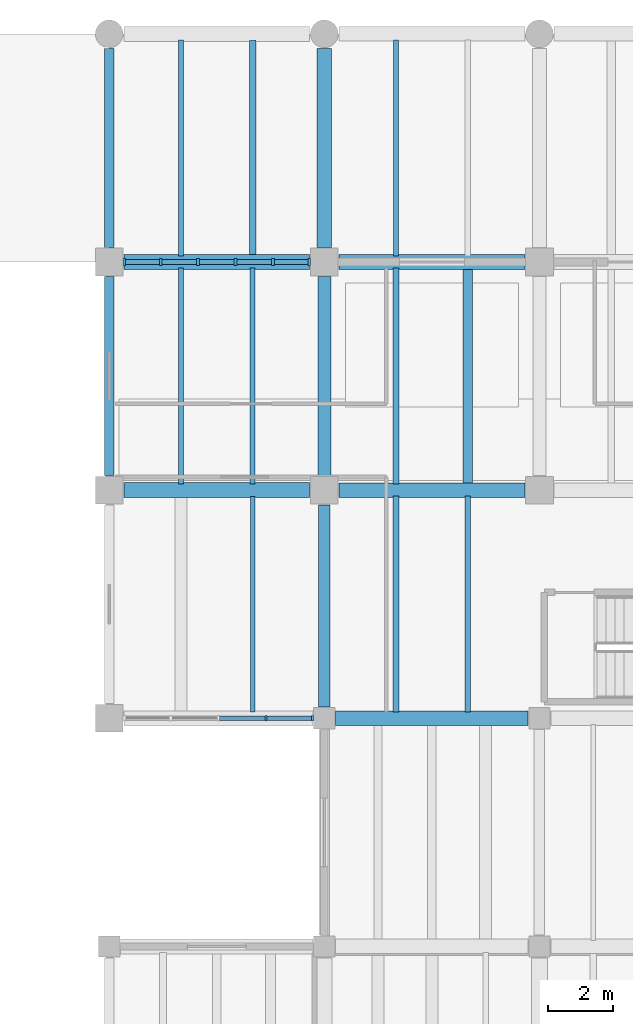
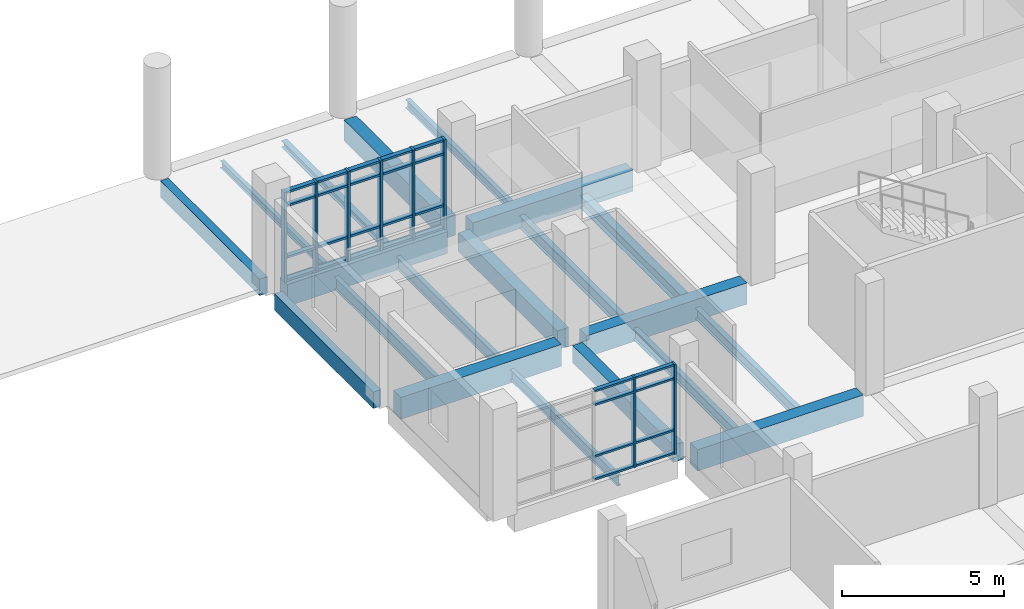
# One storey, part 22 of 69: 36 members, 20 beams, 2 elements without a shape of their own.
"""IFC4 building model written with IfcOpenShell, lengths in metres."""

from ifc_helpers import new_model, si_unit, direction, frame, origin, origin_2d, place, context, subcontext, project, spatial, rectangle, i_section, extrude, material, material_profile, profile_set, type_object, element, aggregate, save


model = new_model("IFC4")

# Units and contexts
model_context = context("Model", 3, precision=1e-05, world=origin(), true_north=direction((0.0, 1.0)))
body_context = subcontext(model_context, "Body", "Model", "MODEL_VIEW")
ifc_project = project(units=[si_unit("LENGTHUNIT", "METRE"), si_unit("AREAUNIT", "SQUARE_METRE"), si_unit("VOLUMEUNIT", "CUBIC_METRE"), si_unit("PLANEANGLEUNIT", "RADIAN"), si_unit("MASSUNIT", "GRAM", prefix="KILO")], contexts=[model_context])

# Site, building, storey
site_placement = place(None, origin())
site = spatial("IfcSite", under=ifc_project, at=site_placement, CompositionType="ELEMENT")
building_placement = place(site_placement, origin())
building = spatial("IfcBuilding", under=site, at=building_placement, Name="Ciguamira Faculty of Natural Sciences", CompositionType="ELEMENT")
storey_placement = place(building_placement, origin())
storey = spatial("IfcBuildingStorey", under=building, at=storey_placement, Name="L00", CompositionType="ELEMENT", Elevation=0.0)

# Curtain wall, members
ifc_material_1 = material(Name="Anodized aluminium curtain wall", Category="aluminium")
curtain_wall_type_1 = type_object("IfcCurtainWallType", Name="CurtainWall_CW-05", PredefinedType="USERDEFINED", material=ifc_material_1)
curtain_wall_1_placement = place(storey_placement, origin())
curtain_wall_1 = element("IfcCurtainWall", 1, at=curtain_wall_1_placement, inside=storey, type_object=curtain_wall_type_1, Name="L00 unitised curtain wall 0017", ObjectType="UNITISED CURTAIN WALL", PredefinedType="USERDEFINED")
ifc_material_2 = material(Name="Anodized aluminium mullion", Category="aluminium")
ifc_material_profile_1 = material_profile(ifc_material_2, rectangle(XDim=0.070068359375, YDim=0.179931640625, at=origin_2d()), Name="ALU-MUL-70X180")
ifc_profile_set_1 = profile_set([ifc_material_profile_1], Name="Anodized aluminium mullion")
member_type_1 = type_object("IfcMemberType", Name="CWMullion_CWM-02", PredefinedType="MULLION", material=ifc_profile_set_1)
member_1_placement = place(storey_placement, frame((62.112548828125, 94.0, 0.0), z_axis=(0.0, 0.0, 1.0), x_axis=(1.0, 0.0, 0.0)))
member_1 = element("IfcMember", 2, at=member_1_placement, type_object=member_type_1, Name="CW-05 mullion 4", PredefinedType="MULLION", context=body_context, shape_type="SweptSolid", body=[
    extrude(rectangle(XDim=0.070068359375, YDim=0.179931640625, at=origin_2d()), origin(), (0.0, 0.0, 1.0), 3.385009765625),
])
member_2_placement = place(storey_placement, frame((63.5400390625, 94.0, 0.0), z_axis=(0.0, 0.0, 1.0), x_axis=(1.0, 0.0, 0.0)))
member_2 = element("IfcMember", 3, at=member_2_placement, type_object=member_type_1, Name="CW-05 mullion 5", PredefinedType="MULLION", context=body_context, shape_type="SweptSolid", body=[
    extrude(rectangle(XDim=0.070068359375, YDim=0.179931640625, at=origin_2d()), origin(), (0.0, 0.0, 1.0), 3.385009765625),
])

curtain_wall_type_2 = type_object("IfcCurtainWallType", Name="CurtainWall_CW-06", PredefinedType="USERDEFINED", material=ifc_material_1)
curtain_wall_2_placement = place(storey_placement, origin())
curtain_wall_2 = element("IfcCurtainWall", 4, at=curtain_wall_2_placement, inside=storey, type_object=curtain_wall_type_2, Name="L00 unitised curtain wall 0018", ObjectType="UNITISED CURTAIN WALL", PredefinedType="USERDEFINED")
ifc_material_profile_2 = material_profile(ifc_material_2, rectangle(XDim=0.080078125, YDim=0.219970703125, at=origin_2d()), Name="ALU-MUL-80X220")
ifc_profile_set_2 = profile_set([ifc_material_profile_2], Name="Anodized aluminium mullion")
member_type_2 = type_object("IfcMemberType", Name="CWMullion_CWM-03", PredefinedType="MULLION", material=ifc_profile_set_2)
member_3_placement = place(storey_placement, frame((57.764892578125, 108.0, 0.0), z_axis=(0.0, 0.0, 1.0), x_axis=(1.0, 0.0, 0.0)))
member_3 = element("IfcMember", 5, at=member_3_placement, type_object=member_type_2, Name="CW-06 mullion 1", PredefinedType="MULLION", context=body_context, shape_type="SweptSolid", body=[
    extrude(rectangle(XDim=0.080078125, YDim=0.219970703125, at=origin_2d()), origin(), (0.0, 0.0, 1.0), 3.385009765625),
])
member_4_placement = place(storey_placement, frame((58.875, 108.0, 0.0), z_axis=(0.0, 0.0, 1.0), x_axis=(1.0, 0.0, 0.0)))
member_4 = element("IfcMember", 6, at=member_4_placement, type_object=member_type_2, Name="CW-06 mullion 2", PredefinedType="MULLION", context=body_context, shape_type="SweptSolid", body=[
    extrude(rectangle(XDim=0.080078125, YDim=0.219970703125, at=origin_2d()), origin(), (0.0, 0.0, 1.0), 3.385009765625),
])
member_5_placement = place(storey_placement, frame((60.02490234375, 108.0, 0.0), z_axis=(0.0, 0.0, 1.0), x_axis=(1.0, 0.0, 0.0)))
member_5 = element("IfcMember", 7, at=member_5_placement, type_object=member_type_2, Name="CW-06 mullion 3", PredefinedType="MULLION", context=body_context, shape_type="SweptSolid", body=[
    extrude(rectangle(XDim=0.080078125, YDim=0.219970703125, at=origin_2d()), origin(), (0.0, 0.0, 1.0), 3.385009765625),
])
member_6_placement = place(storey_placement, frame((61.175048828125, 108.0, 0.0), z_axis=(0.0, 0.0, 1.0), x_axis=(1.0, 0.0, 0.0)))
member_6 = element("IfcMember", 8, at=member_6_placement, type_object=member_type_2, Name="CW-06 mullion 4", PredefinedType="MULLION", context=body_context, shape_type="SweptSolid", body=[
    extrude(rectangle(XDim=0.080078125, YDim=0.219970703125, at=origin_2d()), origin(), (0.0, 0.0, 1.0), 3.385009765625),
])
member_7_placement = place(storey_placement, frame((62.324951171875, 108.0, 0.0), z_axis=(0.0, 0.0, 1.0), x_axis=(1.0, 0.0, 0.0)))
member_7 = element("IfcMember", 9, at=member_7_placement, type_object=member_type_2, Name="CW-06 mullion 5", PredefinedType="MULLION", context=body_context, shape_type="SweptSolid", body=[
    extrude(rectangle(XDim=0.080078125, YDim=0.219970703125, at=origin_2d()), origin(), (0.0, 0.0, 1.0), 3.385009765625),
])
member_8_placement = place(storey_placement, frame((63.43505859375, 108.0, 0.0), z_axis=(0.0, 0.0, 1.0), x_axis=(1.0, 0.0, 0.0)))
member_8 = element("IfcMember", 10, at=member_8_placement, type_object=member_type_2, Name="CW-06 mullion 6", PredefinedType="MULLION", context=body_context, shape_type="SweptSolid", body=[
    extrude(rectangle(XDim=0.080078125, YDim=0.219970703125, at=origin_2d()), origin(), (0.0, 0.0, 1.0), 3.385009765625),
])

# Member
ifc_material_3 = material(Name="Anodized aluminium transom", Category="aluminium")
ifc_material_profile_3 = material_profile(ifc_material_3, rectangle(XDim=0.070068359375, YDim=0.139892578125, at=origin_2d()), Name="ALU-TRN-70X140")
ifc_profile_set_3 = profile_set([ifc_material_profile_3], Name="Anodized aluminium transom")
member_type_3 = type_object("IfcMemberType", Name="CWTransom_CWT-02", PredefinedType="USERDEFINED", material=ifc_profile_set_3)
member_9_placement = place(storey_placement, frame((60.68505859375, 94.0, 0.034912109375), z_axis=(1.0, 0.0, 0.0), x_axis=(0.0, 0.0, 1.0)))
member_9 = element("IfcMember", 11, at=member_9_placement, type_object=member_type_3, Name="CW-05 transom 3.1", ObjectType="TRANSOM", PredefinedType="USERDEFINED", context=body_context, shape_type="SweptSolid", body=[
    extrude(rectangle(XDim=0.070068359375, YDim=0.139892578125, at=origin_2d()), origin(), (0.0, 0.0, 1.0), 1.392333984375),
])

member_10_placement = place(storey_placement, frame((60.68505859375, 94.0, 0.89990234375), z_axis=(1.0, 0.0, 0.0), x_axis=(0.0, 0.0, 1.0)))
member_10 = element("IfcMember", 12, at=member_10_placement, type_object=member_type_3, Name="CW-05 transom 3.2", ObjectType="TRANSOM", PredefinedType="USERDEFINED", context=body_context, shape_type="SweptSolid", body=[
    extrude(rectangle(XDim=0.070068359375, YDim=0.139892578125, at=origin_2d()), origin(), (0.0, 0.0, 1.0), 1.392333984375),
])

member_11_placement = place(storey_placement, frame((60.68505859375, 94.0, 2.8349609375), z_axis=(1.0, 0.0, 0.0), x_axis=(0.0, 0.0, 1.0)))
member_11 = element("IfcMember", 13, at=member_11_placement, type_object=member_type_3, Name="CW-05 transom 3.3", ObjectType="TRANSOM", PredefinedType="USERDEFINED", context=body_context, shape_type="SweptSolid", body=[
    extrude(rectangle(XDim=0.070068359375, YDim=0.139892578125, at=origin_2d()), origin(), (0.0, 0.0, 1.0), 1.392333984375),
])

member_12_placement = place(storey_placement, frame((60.68505859375, 94.0, 3.35009765625), z_axis=(1.0, 0.0, 0.0), x_axis=(0.0, 0.0, 1.0)))
member_12 = element("IfcMember", 14, at=member_12_placement, type_object=member_type_3, Name="CW-05 transom 3.4", ObjectType="TRANSOM", PredefinedType="USERDEFINED", context=body_context, shape_type="SweptSolid", body=[
    extrude(rectangle(XDim=0.070068359375, YDim=0.139892578125, at=origin_2d()), origin(), (0.0, 0.0, 1.0), 1.392333984375),
])

member_13_placement = place(storey_placement, frame((62.1474609375, 94.0, 0.034912109375), z_axis=(1.0, 0.0, 0.0), x_axis=(0.0, 0.0, 1.0)))
member_13 = element("IfcMember", 15, at=member_13_placement, type_object=member_type_3, Name="CW-05 transom 4.1", ObjectType="TRANSOM", PredefinedType="USERDEFINED", context=body_context, shape_type="SweptSolid", body=[
    extrude(rectangle(XDim=0.070068359375, YDim=0.139892578125, at=origin_2d()), origin(), (0.0, 0.0, 1.0), 1.357421875),
])

member_14_placement = place(storey_placement, frame((62.1474609375, 94.0, 0.89990234375), z_axis=(1.0, 0.0, 0.0), x_axis=(0.0, 0.0, 1.0)))
member_14 = element("IfcMember", 16, at=member_14_placement, type_object=member_type_3, Name="CW-05 transom 4.2", ObjectType="TRANSOM", PredefinedType="USERDEFINED", context=body_context, shape_type="SweptSolid", body=[
    extrude(rectangle(XDim=0.070068359375, YDim=0.139892578125, at=origin_2d()), origin(), (0.0, 0.0, 1.0), 1.357421875),
])

member_15_placement = place(storey_placement, frame((62.1474609375, 94.0, 2.8349609375), z_axis=(1.0, 0.0, 0.0), x_axis=(0.0, 0.0, 1.0)))
member_15 = element("IfcMember", 17, at=member_15_placement, type_object=member_type_3, Name="CW-05 transom 4.3", ObjectType="TRANSOM", PredefinedType="USERDEFINED", context=body_context, shape_type="SweptSolid", body=[
    extrude(rectangle(XDim=0.070068359375, YDim=0.139892578125, at=origin_2d()), origin(), (0.0, 0.0, 1.0), 1.357421875),
])

member_16_placement = place(storey_placement, frame((62.1474609375, 94.0, 3.35009765625), z_axis=(1.0, 0.0, 0.0), x_axis=(0.0, 0.0, 1.0)))
member_16 = element("IfcMember", 18, at=member_16_placement, type_object=member_type_3, Name="CW-05 transom 4.4", ObjectType="TRANSOM", PredefinedType="USERDEFINED", context=body_context, shape_type="SweptSolid", body=[
    extrude(rectangle(XDim=0.070068359375, YDim=0.139892578125, at=origin_2d()), origin(), (0.0, 0.0, 1.0), 1.357421875),
])

aggregate(curtain_wall_1, [member_1, member_2, member_9, member_10, member_11, member_12, member_13, member_14, member_15, member_16])

ifc_material_profile_4 = material_profile(ifc_material_3, rectangle(XDim=0.080078125, YDim=0.159912109375, at=origin_2d()), Name="ALU-TRN-80X160")
ifc_profile_set_4 = profile_set([ifc_material_profile_4], Name="Anodized aluminium transom")
member_type_4 = type_object("IfcMemberType", Name="CWTransom_CWT-03", PredefinedType="USERDEFINED", material=ifc_profile_set_4)
member_17_placement = place(storey_placement, frame((57.804931640625, 108.0, 0.0400390625), z_axis=(1.0, 0.0, 0.0), x_axis=(0.0, 0.0, 1.0)))
member_17 = element("IfcMember", 19, at=member_17_placement, type_object=member_type_4, Name="CW-06 transom 1.1", ObjectType="TRANSOM", PredefinedType="USERDEFINED", context=body_context, shape_type="SweptSolid", body=[
    extrude(rectangle(XDim=0.080078125, YDim=0.159912109375, at=origin_2d()), origin(), (0.0, 0.0, 1.0), 1.030029296875),
])

member_18_placement = place(storey_placement, frame((57.804931640625, 108.0, 0.89990234375), z_axis=(1.0, 0.0, 0.0), x_axis=(0.0, 0.0, 1.0)))
member_18 = element("IfcMember", 20, at=member_18_placement, type_object=member_type_4, Name="CW-06 transom 1.2", ObjectType="TRANSOM", PredefinedType="USERDEFINED", context=body_context, shape_type="SweptSolid", body=[
    extrude(rectangle(XDim=0.080078125, YDim=0.159912109375, at=origin_2d()), origin(), (0.0, 0.0, 1.0), 1.030029296875),
])

member_19_placement = place(storey_placement, frame((57.804931640625, 108.0, 2.8349609375), z_axis=(1.0, 0.0, 0.0), x_axis=(0.0, 0.0, 1.0)))
member_19 = element("IfcMember", 21, at=member_19_placement, type_object=member_type_4, Name="CW-06 transom 1.3", ObjectType="TRANSOM", PredefinedType="USERDEFINED", context=body_context, shape_type="SweptSolid", body=[
    extrude(rectangle(XDim=0.080078125, YDim=0.159912109375, at=origin_2d()), origin(), (0.0, 0.0, 1.0), 1.030029296875),
])

member_20_placement = place(storey_placement, frame((57.804931640625, 108.0, 3.344970703125), z_axis=(1.0, 0.0, 0.0), x_axis=(0.0, 0.0, 1.0)))
member_20 = element("IfcMember", 22, at=member_20_placement, type_object=member_type_4, Name="CW-06 transom 1.4", ObjectType="TRANSOM", PredefinedType="USERDEFINED", context=body_context, shape_type="SweptSolid", body=[
    extrude(rectangle(XDim=0.080078125, YDim=0.159912109375, at=origin_2d()), origin(), (0.0, 0.0, 1.0), 1.030029296875),
])

member_21_placement = place(storey_placement, frame((58.9150390625, 108.0, 0.0400390625), z_axis=(1.0, 0.0, 0.0), x_axis=(0.0, 0.0, 1.0)))
member_21 = element("IfcMember", 23, at=member_21_placement, type_object=member_type_4, Name="CW-06 transom 2.1", ObjectType="TRANSOM", PredefinedType="USERDEFINED", context=body_context, shape_type="SweptSolid", body=[
    extrude(rectangle(XDim=0.080078125, YDim=0.159912109375, at=origin_2d()), origin(), (0.0, 0.0, 1.0), 1.070068359375),
])

member_22_placement = place(storey_placement, frame((58.9150390625, 108.0, 0.89990234375), z_axis=(1.0, 0.0, 0.0), x_axis=(0.0, 0.0, 1.0)))
member_22 = element("IfcMember", 24, at=member_22_placement, type_object=member_type_4, Name="CW-06 transom 2.2", ObjectType="TRANSOM", PredefinedType="USERDEFINED", context=body_context, shape_type="SweptSolid", body=[
    extrude(rectangle(XDim=0.080078125, YDim=0.159912109375, at=origin_2d()), origin(), (0.0, 0.0, 1.0), 1.070068359375),
])

member_23_placement = place(storey_placement, frame((58.9150390625, 108.0, 2.8349609375), z_axis=(1.0, 0.0, 0.0), x_axis=(0.0, 0.0, 1.0)))
member_23 = element("IfcMember", 25, at=member_23_placement, type_object=member_type_4, Name="CW-06 transom 2.3", ObjectType="TRANSOM", PredefinedType="USERDEFINED", context=body_context, shape_type="SweptSolid", body=[
    extrude(rectangle(XDim=0.080078125, YDim=0.159912109375, at=origin_2d()), origin(), (0.0, 0.0, 1.0), 1.070068359375),
])

member_24_placement = place(storey_placement, frame((58.9150390625, 108.0, 3.344970703125), z_axis=(1.0, 0.0, 0.0), x_axis=(0.0, 0.0, 1.0)))
member_24 = element("IfcMember", 26, at=member_24_placement, type_object=member_type_4, Name="CW-06 transom 2.4", ObjectType="TRANSOM", PredefinedType="USERDEFINED", context=body_context, shape_type="SweptSolid", body=[
    extrude(rectangle(XDim=0.080078125, YDim=0.159912109375, at=origin_2d()), origin(), (0.0, 0.0, 1.0), 1.070068359375),
])

member_25_placement = place(storey_placement, frame((60.06494140625, 108.0, 0.0400390625), z_axis=(1.0, 0.0, 0.0), x_axis=(0.0, 0.0, 1.0)))
member_25 = element("IfcMember", 27, at=member_25_placement, type_object=member_type_4, Name="CW-06 transom 3.1", ObjectType="TRANSOM", PredefinedType="USERDEFINED", context=body_context, shape_type="SweptSolid", body=[
    extrude(rectangle(XDim=0.080078125, YDim=0.159912109375, at=origin_2d()), origin(), (0.0, 0.0, 1.0), 1.070068359375),
])

member_26_placement = place(storey_placement, frame((60.06494140625, 108.0, 0.89990234375), z_axis=(1.0, 0.0, 0.0), x_axis=(0.0, 0.0, 1.0)))
member_26 = element("IfcMember", 28, at=member_26_placement, type_object=member_type_4, Name="CW-06 transom 3.2", ObjectType="TRANSOM", PredefinedType="USERDEFINED", context=body_context, shape_type="SweptSolid", body=[
    extrude(rectangle(XDim=0.080078125, YDim=0.159912109375, at=origin_2d()), origin(), (0.0, 0.0, 1.0), 1.070068359375),
])

member_27_placement = place(storey_placement, frame((60.06494140625, 108.0, 2.8349609375), z_axis=(1.0, 0.0, 0.0), x_axis=(0.0, 0.0, 1.0)))
member_27 = element("IfcMember", 29, at=member_27_placement, type_object=member_type_4, Name="CW-06 transom 3.3", ObjectType="TRANSOM", PredefinedType="USERDEFINED", context=body_context, shape_type="SweptSolid", body=[
    extrude(rectangle(XDim=0.080078125, YDim=0.159912109375, at=origin_2d()), origin(), (0.0, 0.0, 1.0), 1.070068359375),
])

member_28_placement = place(storey_placement, frame((60.06494140625, 108.0, 3.344970703125), z_axis=(1.0, 0.0, 0.0), x_axis=(0.0, 0.0, 1.0)))
member_28 = element("IfcMember", 30, at=member_28_placement, type_object=member_type_4, Name="CW-06 transom 3.4", ObjectType="TRANSOM", PredefinedType="USERDEFINED", context=body_context, shape_type="SweptSolid", body=[
    extrude(rectangle(XDim=0.080078125, YDim=0.159912109375, at=origin_2d()), origin(), (0.0, 0.0, 1.0), 1.070068359375),
])

member_29_placement = place(storey_placement, frame((61.215087890625, 108.0, 0.0400390625), z_axis=(1.0, 0.0, 0.0), x_axis=(0.0, 0.0, 1.0)))
member_29 = element("IfcMember", 31, at=member_29_placement, type_object=member_type_4, Name="CW-06 transom 4.1", ObjectType="TRANSOM", PredefinedType="USERDEFINED", context=body_context, shape_type="SweptSolid", body=[
    extrude(rectangle(XDim=0.080078125, YDim=0.159912109375, at=origin_2d()), origin(), (0.0, 0.0, 1.0), 1.06982421875),
])

member_30_placement = place(storey_placement, frame((61.215087890625, 108.0, 0.89990234375), z_axis=(1.0, 0.0, 0.0), x_axis=(0.0, 0.0, 1.0)))
member_30 = element("IfcMember", 32, at=member_30_placement, type_object=member_type_4, Name="CW-06 transom 4.2", ObjectType="TRANSOM", PredefinedType="USERDEFINED", context=body_context, shape_type="SweptSolid", body=[
    extrude(rectangle(XDim=0.080078125, YDim=0.159912109375, at=origin_2d()), origin(), (0.0, 0.0, 1.0), 1.06982421875),
])

member_31_placement = place(storey_placement, frame((61.215087890625, 108.0, 2.8349609375), z_axis=(1.0, 0.0, 0.0), x_axis=(0.0, 0.0, 1.0)))
member_31 = element("IfcMember", 33, at=member_31_placement, type_object=member_type_4, Name="CW-06 transom 4.3", ObjectType="TRANSOM", PredefinedType="USERDEFINED", context=body_context, shape_type="SweptSolid", body=[
    extrude(rectangle(XDim=0.080078125, YDim=0.159912109375, at=origin_2d()), origin(), (0.0, 0.0, 1.0), 1.06982421875),
])

member_32_placement = place(storey_placement, frame((61.215087890625, 108.0, 3.344970703125), z_axis=(1.0, 0.0, 0.0), x_axis=(0.0, 0.0, 1.0)))
member_32 = element("IfcMember", 34, at=member_32_placement, type_object=member_type_4, Name="CW-06 transom 4.4", ObjectType="TRANSOM", PredefinedType="USERDEFINED", context=body_context, shape_type="SweptSolid", body=[
    extrude(rectangle(XDim=0.080078125, YDim=0.159912109375, at=origin_2d()), origin(), (0.0, 0.0, 1.0), 1.06982421875),
])

member_33_placement = place(storey_placement, frame((62.364990234375, 108.0, 0.0400390625), z_axis=(1.0, 0.0, 0.0), x_axis=(0.0, 0.0, 1.0)))
member_33 = element("IfcMember", 35, at=member_33_placement, type_object=member_type_4, Name="CW-06 transom 5.1", ObjectType="TRANSOM", PredefinedType="USERDEFINED", context=body_context, shape_type="SweptSolid", body=[
    extrude(rectangle(XDim=0.080078125, YDim=0.159912109375, at=origin_2d()), origin(), (0.0, 0.0, 1.0), 1.030029296875),
])

member_34_placement = place(storey_placement, frame((62.364990234375, 108.0, 0.89990234375), z_axis=(1.0, 0.0, 0.0), x_axis=(0.0, 0.0, 1.0)))
member_34 = element("IfcMember", 36, at=member_34_placement, type_object=member_type_4, Name="CW-06 transom 5.2", ObjectType="TRANSOM", PredefinedType="USERDEFINED", context=body_context, shape_type="SweptSolid", body=[
    extrude(rectangle(XDim=0.080078125, YDim=0.159912109375, at=origin_2d()), origin(), (0.0, 0.0, 1.0), 1.030029296875),
])

member_35_placement = place(storey_placement, frame((62.364990234375, 108.0, 2.8349609375), z_axis=(1.0, 0.0, 0.0), x_axis=(0.0, 0.0, 1.0)))
member_35 = element("IfcMember", 37, at=member_35_placement, type_object=member_type_4, Name="CW-06 transom 5.3", ObjectType="TRANSOM", PredefinedType="USERDEFINED", context=body_context, shape_type="SweptSolid", body=[
    extrude(rectangle(XDim=0.080078125, YDim=0.159912109375, at=origin_2d()), origin(), (0.0, 0.0, 1.0), 1.030029296875),
])

member_36_placement = place(storey_placement, frame((62.364990234375, 108.0, 3.344970703125), z_axis=(1.0, 0.0, 0.0), x_axis=(0.0, 0.0, 1.0)))
member_36 = element("IfcMember", 38, at=member_36_placement, type_object=member_type_4, Name="CW-06 transom 5.4", ObjectType="TRANSOM", PredefinedType="USERDEFINED", context=body_context, shape_type="SweptSolid", body=[
    extrude(rectangle(XDim=0.080078125, YDim=0.159912109375, at=origin_2d()), origin(), (0.0, 0.0, 1.0), 1.030029296875),
])

aggregate(curtain_wall_2, [member_3, member_4, member_5, member_6, member_7, member_8, member_17, member_18, member_19, member_20, member_21, member_22, member_23, member_24, member_25, member_26, member_27, member_28, member_29, member_30, member_31, member_32, member_33, member_34, member_35, member_36])

# Beams
ifc_material_4 = material(Name="Concrete C40/50", Category="concrete")
ifc_material_profile_5 = material_profile(ifc_material_4, rectangle(XDim=0.4599609375, YDim=0.820068359375, at=origin_2d()), Name="RC-BM-460X820")
ifc_profile_set_5 = profile_set([ifc_material_profile_5], Name="Concrete C40/50")
beam_type_1 = type_object("IfcBeamType", Name="RCBeam_BG-04_RC-BM-460X820", PredefinedType="BEAM", material=ifc_profile_set_5)
for number, where, z_axis, x_axis, name in (
    (39, (57.75, 101.0, -0.409912109375), (1.0, 0.0, 0.0), (0.0, 1.0, 0.0), "L00 RC girder EW-0165"),
    (40, (57.75, 108.0, -0.409912109375), (1.0, 0.0, 0.0), (0.0, 1.0, 0.0), "L00 RC girder EW-0174"),
):
    element("IfcBeam", number, at=place(storey_placement, frame(where, z_axis=z_axis, x_axis=x_axis)), inside=storey, type_object=beam_type_1, Name=name, PredefinedType="BEAM", context=body_context, shape_type="SweptSolid", body=[
        extrude(rectangle(XDim=0.4599609375, YDim=0.820068359375, at=origin_2d()), origin(), (0.0, 0.0, 1.0), 5.699951171875),
    ])
ifc_material_profile_6 = material_profile(ifc_material_4, rectangle(XDim=0.449951171875, YDim=0.800048828125, at=origin_2d()), Name="RC-BM-450X800")
ifc_profile_set_6 = profile_set([ifc_material_profile_6], Name="Concrete C40/50")
beam_type_2 = type_object("IfcBeamType", Name="RCBeam_BG-05_RC-BM-450X800", PredefinedType="BEAM", material=ifc_profile_set_6)
beam_1_placement = place(storey_placement, frame((64.25, 94.0, -0.39990234375), z_axis=(1.0, 0.0, 0.0), x_axis=(0.0, 1.0, 0.0)))
element("IfcBeam", 41, at=beam_1_placement, inside=storey, type_object=beam_type_2, Name="L00 RC girder EW-0157", PredefinedType="BEAM", context=body_context, shape_type="SweptSolid", body=[
    extrude(rectangle(XDim=0.449951171875, YDim=0.800048828125, at=origin_2d()), origin(), (0.0, 0.0, 1.0), 5.89990234375),
])
for number, where, z_axis, x_axis, name in (
    (42, (64.35009765625, 101.0, -0.39990234375), (1.0, 0.0, 0.0), (0.0, 1.0, 0.0), "L00 RC girder EW-0166"),
    (43, (64.35009765625, 108.0, -0.39990234375), (1.0, 0.0, 0.0), (0.0, 1.0, 0.0), "L00 RC girder EW-0175"),
):
    element("IfcBeam", number, at=place(storey_placement, frame(where, z_axis=z_axis, x_axis=x_axis)), inside=storey, type_object=beam_type_2, Name=name, PredefinedType="BEAM", context=body_context, shape_type="SweptSolid", body=[
        extrude(rectangle(XDim=0.449951171875, YDim=0.800048828125, at=origin_2d()), origin(), (0.0, 0.0, 1.0), 5.699951171875),
    ])
ifc_material_profile_7 = material_profile(ifc_material_4, rectangle(XDim=0.43994140625, YDim=0.780029296875, at=origin_2d()), Name="RC-BM-440X780")
ifc_profile_set_7 = profile_set([ifc_material_profile_7], Name="Concrete C40/50")
beam_type_3 = type_object("IfcBeamType", Name="RCBeam_BG-06_RC-BM-440X780", PredefinedType="BEAM", material=ifc_profile_set_7)
beam_2_placement = place(storey_placement, frame((63.89990234375, 108.449951171875, -0.389892578125), z_axis=(0.0, 1.0, 0.0), x_axis=(-1.0, 0.0, 0.0)))
element("IfcBeam", 44, at=beam_2_placement, inside=storey, type_object=beam_type_3, Name="L00 girder NS-0241", PredefinedType="BEAM", context=body_context, shape_type="SweptSolid", body=[
    extrude(rectangle(XDim=0.43994140625, YDim=0.780029296875, at=origin_2d()), origin(), (0.0, 0.0, 1.0), 6.10009765625),
])
ifc_material_profile_8 = material_profile(ifc_material_4, rectangle(XDim=0.39990234375, YDim=0.699951171875, at=origin_2d()), Name="RC-BM-400X700")
ifc_profile_set_8 = profile_set([ifc_material_profile_8], Name="Concrete C40/50")
beam_type_4 = type_object("IfcBeamType", Name="RCBeam_BG-08_RC-BM-400X700", PredefinedType="BEAM", material=ifc_profile_set_8)
beam_3_placement = place(storey_placement, frame((63.89990234375, 101.449951171875, -0.35009765625), z_axis=(0.0, 1.0, 0.0), x_axis=(-1.0, 0.0, 0.0)))
element("IfcBeam", 45, at=beam_3_placement, inside=storey, type_object=beam_type_4, Name="L00 girder NS-0240", PredefinedType="BEAM", context=body_context, shape_type="SweptSolid", body=[
    extrude(rectangle(XDim=0.39990234375, YDim=0.699951171875, at=origin_2d()), origin(), (0.0, 0.0, 1.0), 6.10009765625),
])
ifc_material_profile_9 = material_profile(ifc_material_4, rectangle(XDim=0.360107421875, YDim=0.639892578125, at=origin_2d()), Name="RC-BM-360X640")
ifc_profile_set_9 = profile_set([ifc_material_profile_9], Name="Concrete C40/50")
beam_type_5 = type_object("IfcBeamType", Name="RCBeam_BG-10_RC-BM-360X640", PredefinedType="BEAM", material=ifc_profile_set_9)
beam_4_placement = place(storey_placement, frame((63.89990234375, 94.35009765625, -0.320068359375), z_axis=(0.0, 1.0, 0.0), x_axis=(-1.0, 0.0, 0.0)))
element("IfcBeam", 46, at=beam_4_placement, inside=storey, type_object=beam_type_5, Name="L00 girder NS-0239", PredefinedType="BEAM", context=body_context, shape_type="SweptSolid", body=[
    extrude(rectangle(XDim=0.360107421875, YDim=0.639892578125, at=origin_2d()), origin(), (0.0, 0.0, 1.0), 6.199951171875),
])
ifc_material_5 = material(Name="Precast concrete C40/50", Category="concrete")
ifc_material_profile_10 = material_profile(ifc_material_5, rectangle(XDim=0.280029296875, YDim=0.6201171875, at=origin_2d()), Name="RC-SP-280X620")
ifc_profile_set_10 = profile_set([ifc_material_profile_10], Name="Precast concrete C40/50")
beam_type_6 = type_object("IfcBeamType", Name="RCBeam_SP-01_RC-SP-280X620", PredefinedType="SPANDREL", material=ifc_profile_set_10)
for number, where, z_axis, x_axis, name in (
    (47, (57.300048828125, 101.449951171875, -0.31005859375), (0.0, 1.0, 0.0), (-1.0, 0.0, 0.0), "L00 girder NS-0227"),
    (48, (57.300048828125, 108.449951171875, -0.31005859375), (0.0, 1.0, 0.0), (-1.0, 0.0, 0.0), "L00 girder NS-0228"),
):
    element("IfcBeam", number, at=place(storey_placement, frame(where, z_axis=z_axis, x_axis=x_axis)), inside=storey, type_object=beam_type_6, Name=name, PredefinedType="SPANDREL", context=body_context, shape_type="SweptSolid", body=[
        extrude(rectangle(XDim=0.280029296875, YDim=0.6201171875, at=origin_2d()), origin(), (0.0, 0.0, 1.0), 6.10009765625),
    ])
ifc_material_6 = material(Name="Steel ASTM A992 Grade 50", Category="steel")
ifc_material_profile_11 = material_profile(ifc_material_6, i_section(OverallWidth=0.14599609375, OverallDepth=0.259033203125, WebThickness=0.006103515625, FlangeThickness=0.009033203125, at=origin_2d()), Name="W10X22")
ifc_profile_set_11 = profile_set([ifc_material_profile_11], Name="Steel ASTM A992 Grade 50")
beam_type_7 = type_object("IfcBeamType", Name="SteelJoist_SJ-01_W10X22", PredefinedType="JOIST", material=ifc_profile_set_11)
beam_5_placement = place(storey_placement, frame((59.5, 108.18994140625, -0.32958984375), z_axis=(0.0, 1.0, 0.0), x_axis=(-1.0, 0.0, 0.0)))
element("IfcBeam", 49, at=beam_5_placement, inside=storey, type_object=beam_type_7, Name="L00 composite steel joist 00090", PredefinedType="JOIST", context=body_context, shape_type="SweptSolid", body=[
    extrude(i_section(OverallWidth=0.14599609375, OverallDepth=0.259033203125, WebThickness=0.006103515625, FlangeThickness=0.009033203125, at=origin_2d()), origin(), (0.0, 0.0, 1.0), 6.6201171875),
])
ifc_material_profile_12 = material_profile(ifc_material_6, i_section(OverallWidth=0.2021484375, OverallDepth=0.2470703125, WebThickness=0.00732421875, FlangeThickness=0.010986328125, at=origin_2d()), Name="W10X33")
ifc_profile_set_12 = profile_set([ifc_material_profile_12], Name="Steel ASTM A992 Grade 50")
beam_type_8 = type_object("IfcBeamType", Name="SteelJoist_SJ-02_W10X33", PredefinedType="JOIST", material=ifc_profile_set_12)
beam_6_placement = place(storey_placement, frame((61.699951171875, 108.18994140625, -0.323486328125), z_axis=(0.0, 1.0, 0.0), x_axis=(-1.0, 0.0, 0.0)))
element("IfcBeam", 50, at=beam_6_placement, inside=storey, type_object=beam_type_8, Name="L00 composite steel joist 00091", PredefinedType="JOIST", context=body_context, shape_type="SweptSolid", body=[
    extrude(i_section(OverallWidth=0.2021484375, OverallDepth=0.2470703125, WebThickness=0.00732421875, FlangeThickness=0.010986328125, at=origin_2d()), origin(), (0.0, 0.0, 1.0), 6.6201171875),
])
ifc_material_profile_13 = material_profile(ifc_material_6, i_section(OverallWidth=0.164794921875, OverallDepth=0.309814453125, WebThickness=0.005859375, FlangeThickness=0.009765625, at=origin_2d()), Name="W12X26")
ifc_profile_set_13 = profile_set([ifc_material_profile_13], Name="Steel ASTM A992 Grade 50")
beam_type_9 = type_object("IfcBeamType", Name="SteelJoist_SJ-04_W12X26", PredefinedType="JOIST", material=ifc_profile_set_13)
beam_7_placement = place(storey_placement, frame((66.10009765625, 108.18505859375, -0.35498046875), z_axis=(0.0, 1.0, 0.0), x_axis=(-1.0, 0.0, 0.0)))
element("IfcBeam", 51, at=beam_7_placement, inside=storey, type_object=beam_type_9, Name="L00 composite steel joist 00119", PredefinedType="JOIST", context=body_context, shape_type="SweptSolid", body=[
    extrude(i_section(OverallWidth=0.164794921875, OverallDepth=0.309814453125, WebThickness=0.005859375, FlangeThickness=0.009765625, at=origin_2d()), origin(), (0.0, 0.0, 1.0), 6.6298828125),
])
ifc_material_profile_14 = material_profile(ifc_material_6, i_section(OverallWidth=0.140380859375, OverallDepth=0.40380859375, WebThickness=0.007080078125, FlangeThickness=0.01123046875, at=origin_2d()), Name="W16X31")
ifc_profile_set_14 = profile_set([ifc_material_profile_14], Name="Steel ASTM A992 Grade 50")
beam_type_10 = type_object("IfcBeamType", Name="SteelJoist_SJ-17_W16X31", PredefinedType="JOIST", material=ifc_profile_set_14)
beam_8_placement = place(storey_placement, frame((61.699951171875, 94.18994140625, -0.501953125), z_axis=(0.0, 1.0, 0.0), x_axis=(-1.0, 0.0, 0.0)))
element("IfcBeam", 52, at=beam_8_placement, inside=storey, type_object=beam_type_10, Name="L00 composite steel joist 00087", PredefinedType="JOIST", context=body_context, shape_type="SweptSolid", body=[
    extrude(i_section(OverallWidth=0.140380859375, OverallDepth=0.40380859375, WebThickness=0.007080078125, FlangeThickness=0.01123046875, at=origin_2d()), origin(), (0.0, 0.0, 1.0), 6.6201171875),
])
ifc_material_profile_15 = material_profile(ifc_material_6, i_section(OverallWidth=0.1787109375, OverallDepth=0.408935546875, WebThickness=0.0087890625, FlangeThickness=0.014404296875, at=origin_2d()), Name="W16X45")
ifc_profile_set_15 = profile_set([ifc_material_profile_15], Name="Steel ASTM A992 Grade 50")
beam_type_11 = type_object("IfcBeamType", Name="SteelJoist_SJ-19_W16X45", PredefinedType="JOIST", material=ifc_profile_set_15)
beam_9_placement = place(storey_placement, frame((66.10009765625, 94.18505859375, -0.50439453125), z_axis=(0.0, 1.0, 0.0), x_axis=(-1.0, 0.0, 0.0)))
element("IfcBeam", 53, at=beam_9_placement, inside=storey, type_object=beam_type_11, Name="L00 composite steel joist 00115", PredefinedType="JOIST", context=body_context, shape_type="SweptSolid", body=[
    extrude(i_section(OverallWidth=0.1787109375, OverallDepth=0.408935546875, WebThickness=0.0087890625, FlangeThickness=0.014404296875, at=origin_2d()), origin(), (0.0, 0.0, 1.0), 6.6298828125),
])
ifc_material_profile_16 = material_profile(ifc_material_6, i_section(OverallWidth=0.180908203125, OverallDepth=0.41650390625, WebThickness=0.010986328125, FlangeThickness=0.01806640625, at=origin_2d()), Name="W16X57")
ifc_profile_set_16 = profile_set([ifc_material_profile_16], Name="Steel ASTM A992 Grade 50")
beam_type_12 = type_object("IfcBeamType", Name="SteelJoist_SJ-20_W16X57", PredefinedType="JOIST", material=ifc_profile_set_16)
beam_10_placement = place(storey_placement, frame((68.300048828125, 94.18505859375, -0.50830078125), z_axis=(0.0, 1.0, 0.0), x_axis=(-1.0, 0.0, 0.0)))
element("IfcBeam", 54, at=beam_10_placement, inside=storey, type_object=beam_type_12, Name="L00 composite steel joist 00116", PredefinedType="JOIST", context=body_context, shape_type="SweptSolid", body=[
    extrude(i_section(OverallWidth=0.180908203125, OverallDepth=0.41650390625, WebThickness=0.010986328125, FlangeThickness=0.01806640625, at=origin_2d()), origin(), (0.0, 0.0, 1.0), 6.6298828125),
])
ifc_material_profile_17 = material_profile(ifc_material_6, i_section(OverallWidth=0.15234375, OverallDepth=0.449462890625, WebThickness=0.007568359375, FlangeThickness=0.0107421875, at=origin_2d()), Name="W18X35")
ifc_profile_set_17 = profile_set([ifc_material_profile_17], Name="Steel ASTM A992 Grade 50")
beam_type_13 = type_object("IfcBeamType", Name="SteelJoist_SJ-21_W18X35", PredefinedType="JOIST", material=ifc_profile_set_17)
beam_11_placement = place(storey_placement, frame((59.5, 101.18994140625, -0.52490234375), z_axis=(0.0, 1.0, 0.0), x_axis=(-1.0, 0.0, 0.0)))
element("IfcBeam", 55, at=beam_11_placement, inside=storey, type_object=beam_type_13, Name="L00 composite steel joist 00088", PredefinedType="JOIST", context=body_context, shape_type="SweptSolid", body=[
    extrude(i_section(OverallWidth=0.15234375, OverallDepth=0.449462890625, WebThickness=0.007568359375, FlangeThickness=0.0107421875, at=origin_2d()), origin(), (0.0, 0.0, 1.0), 6.6201171875),
])
ifc_material_profile_18 = material_profile(ifc_material_6, i_section(OverallWidth=0.15283203125, OverallDepth=0.45458984375, WebThickness=0.008056640625, FlangeThickness=0.013427734375, at=origin_2d()), Name="W18X40")
ifc_profile_set_18 = profile_set([ifc_material_profile_18], Name="Steel ASTM A992 Grade 50")
beam_type_14 = type_object("IfcBeamType", Name="SteelJoist_SJ-22_W18X40", PredefinedType="JOIST", material=ifc_profile_set_18)
beam_12_placement = place(storey_placement, frame((61.699951171875, 101.18994140625, -0.52734375), z_axis=(0.0, 1.0, 0.0), x_axis=(-1.0, 0.0, 0.0)))
element("IfcBeam", 56, at=beam_12_placement, inside=storey, type_object=beam_type_14, Name="L00 composite steel joist 00089", PredefinedType="JOIST", context=body_context, shape_type="SweptSolid", body=[
    extrude(i_section(OverallWidth=0.15283203125, OverallDepth=0.45458984375, WebThickness=0.008056640625, FlangeThickness=0.013427734375, at=origin_2d()), origin(), (0.0, 0.0, 1.0), 6.6201171875),
])
ifc_material_profile_19 = material_profile(ifc_material_6, i_section(OverallWidth=0.19287109375, OverallDepth=0.46728515625, WebThickness=0.011474609375, FlangeThickness=0.01904296875, at=origin_2d()), Name="W18X65")
ifc_profile_set_19 = profile_set([ifc_material_profile_19], Name="Steel ASTM A992 Grade 50")
beam_type_15 = type_object("IfcBeamType", Name="SteelJoist_SJ-24_W18X65", PredefinedType="JOIST", material=ifc_profile_set_19)
beam_13_placement = place(storey_placement, frame((66.10009765625, 101.18505859375, -0.53369140625), z_axis=(0.0, 1.0, 0.0), x_axis=(-1.0, 0.0, 0.0)))
element("IfcBeam", 57, at=beam_13_placement, inside=storey, type_object=beam_type_15, Name="L00 composite steel joist 00117", PredefinedType="JOIST", context=body_context, shape_type="SweptSolid", body=[
    extrude(i_section(OverallWidth=0.19287109375, OverallDepth=0.46728515625, WebThickness=0.011474609375, FlangeThickness=0.01904296875, at=origin_2d()), origin(), (0.0, 0.0, 1.0), 6.6298828125),
])
ifc_material_profile_20 = material_profile(ifc_material_6, i_section(OverallWidth=0.279296875, OverallDepth=0.462158203125, WebThickness=0.0107421875, FlangeThickness=0.017333984375, at=origin_2d()), Name="W18X76")
ifc_profile_set_20 = profile_set([ifc_material_profile_20], Name="Steel ASTM A992 Grade 50")
beam_type_16 = type_object("IfcBeamType", Name="SteelJoist_SJ-25_W18X76", PredefinedType="JOIST", material=ifc_profile_set_20)
beam_14_placement = place(storey_placement, frame((68.300048828125, 101.18505859375, -0.531005859375), z_axis=(0.0, 1.0, 0.0), x_axis=(-1.0, 0.0, 0.0)))
element("IfcBeam", 58, at=beam_14_placement, inside=storey, type_object=beam_type_16, Name="L00 composite steel joist 00118", PredefinedType="JOIST", context=body_context, shape_type="SweptSolid", body=[
    extrude(i_section(OverallWidth=0.279296875, OverallDepth=0.462158203125, WebThickness=0.0107421875, FlangeThickness=0.017333984375, at=origin_2d()), origin(), (0.0, 0.0, 1.0), 6.6298828125),
])

save(model, "model.ifc")
